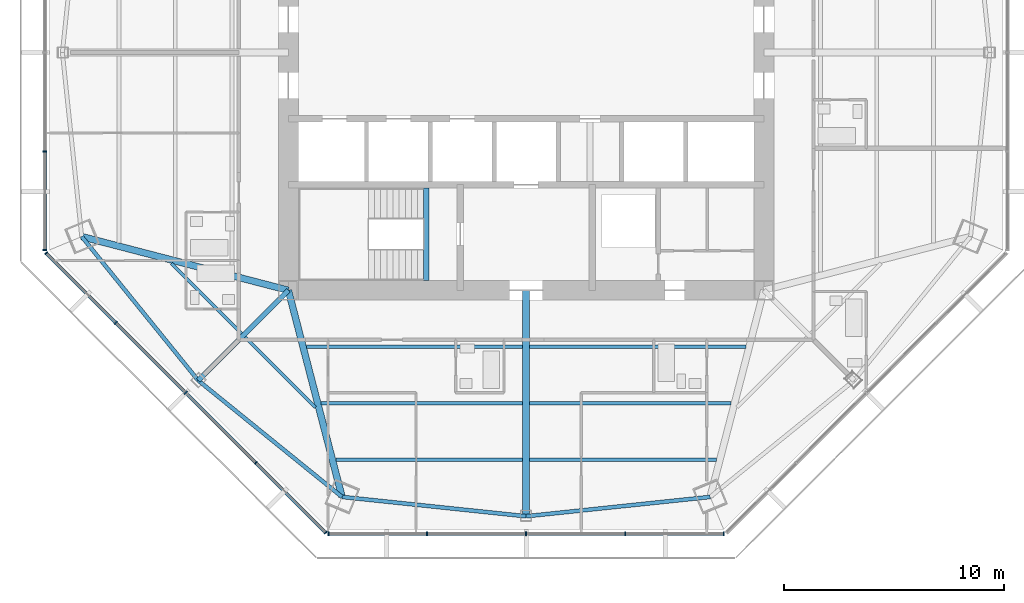
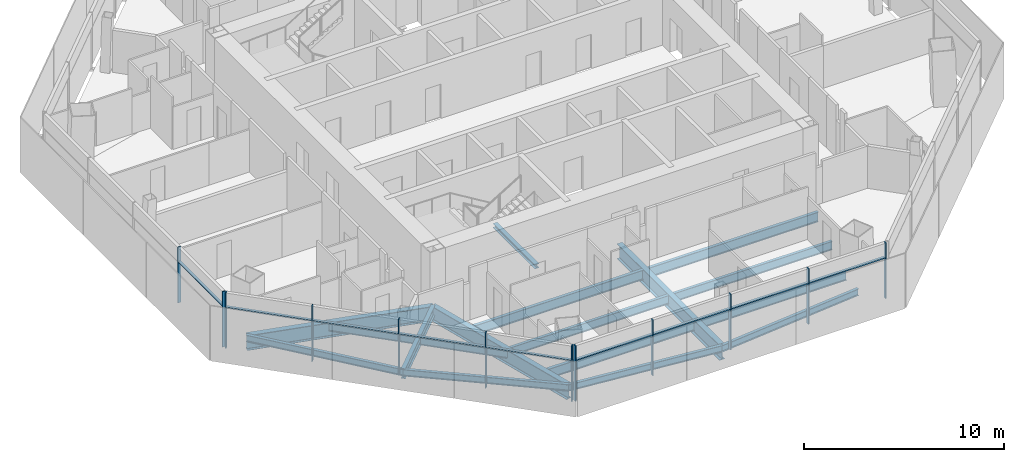
# One storey, part 2 of 16: 21 members, 17 beams, 3 elements without a shape of their own.
"""IFC4 building model written with IfcOpenShell, lengths in metres."""

from ifc_helpers import new_model, si_unit, direction, frame, origin, origin_2d, place, context, subcontext, project, spatial, rectangle, i_section, extrude, source, transform, mapped, material, material_profile, profile_set, type_object, type_shapes, element, aggregate, save


model = new_model("IFC4")

# Units and contexts
model_context = context("Model", 3, precision=1e-05, world=origin(), true_north=direction((0.0, 1.0)))
body_context = subcontext(model_context, "Body", "Model", "MODEL_VIEW")
ifc_project = project(units=[si_unit("LENGTHUNIT", "METRE"), si_unit("AREAUNIT", "SQUARE_METRE"), si_unit("VOLUMEUNIT", "CUBIC_METRE"), si_unit("PLANEANGLEUNIT", "RADIAN"), si_unit("MASSUNIT", "GRAM", prefix="KILO")], contexts=[model_context])

# Site, building, storey
site_placement = place(None, origin())
site = spatial("IfcSite", under=ifc_project, at=site_placement, CompositionType="ELEMENT")
building_placement = place(site_placement, origin())
building = spatial("IfcBuilding", under=site, at=building_placement, Name="Mashrafa Tower", CompositionType="ELEMENT")
storey_placement = place(building_placement, frame((0.0, 0.0, 217.60009765625)))
storey = spatial("IfcBuildingStorey", under=building, at=storey_placement, Name="L50", CompositionType="ELEMENT", Elevation=217.60009765625)

# Beams
ifc_material_1 = material(Name="Steel ASTM A992", Category="steel")
ifc_material_profile_1 = material_profile(ifc_material_1, i_section(OverallWidth=0.177734375, OverallDepth=0.406494140625, WebThickness=0.0078125, FlangeThickness=0.012939453125, FilletRadius=0.01025390625, at=origin_2d()), Name="W16X40")
ifc_profile_set_1 = profile_set([ifc_material_profile_1], Name="Steel ASTM A992")
beam_type_1 = type_object("IfcBeamType", Name="Beam W16X40", PredefinedType="BEAM", material=ifc_profile_set_1)
for number, where, z_axis, x_axis, name in (
    (1, (-20.1865234375, -8.361572265625, -0.4033203125), (0.62937948312, -0.777098105922, 0.0), (0.777098105922, 0.62937948312, 0.0), "Spandrel beam L50 050"),
    (2, (-14.89501953125, -14.89501953125, -0.4033203125), (0.777098105922, -0.62937948312, 0.0), (0.62937948312, 0.777098105922, 0.0), "Spandrel beam L50 052"),
    (3, (-8.361572265625, -20.1865234375, -0.4033203125), (0.994530087923, -0.104450486912, 0.0), (0.104450486912, 0.994530087923, 0.0), "Spandrel beam L50 054"),
    (4, (0.0, -21.064697265625, -0.4033203125), (0.994530087923, 0.104450486912, 0.0), (-0.104450486912, 0.994530087923, 0.0), "Spandrel beam L50 056"),
):
    element("IfcBeam", number, at=place(storey_placement, frame(where, z_axis=z_axis, x_axis=x_axis)), inside=storey, type_object=beam_type_1, Name=name, PredefinedType="BEAM", context=body_context, shape_type="SweptSolid", body=[
        extrude(i_section(OverallWidth=0.177734375, OverallDepth=0.406494140625, WebThickness=0.0078125, FlangeThickness=0.012939453125, FilletRadius=0.01025390625, at=origin_2d()), origin(), (0.0, 0.0, 1.0), 8.407470703125),
    ])
ifc_material_2 = material(Name="Steel ASTM A992", Category="steel")
ifc_material_profile_2 = material_profile(ifc_material_2, i_section(OverallWidth=0.15234375, OverallDepth=0.449462890625, WebThickness=0.007568359375, FlangeThickness=0.0107421875, FilletRadius=0.01025390625, at=origin_2d()), Name="W18X35")
ifc_profile_set_2 = profile_set([ifc_material_profile_2], Name="Steel ASTM A992")
beam_type_2 = type_object("IfcBeamType", Name="Beam W18X35", PredefinedType="BEAM", material=ifc_profile_set_2)
for number, where, z_axis, x_axis, name in (
    (5, (-12.928466796875, -12.7666015625, -0.4248046875), (-0.707106781187, 0.707106781187, 0.0), (-0.707106781187, -0.707106781187, 0.0), "Floor beam L50 008"),
    (6, (-9.57568359375, -16.119384765625, -0.4248046875), (-0.707106781187, 0.707106781187, 0.0), (-0.707106781187, -0.707106781187, 0.0), "Floor beam L50 012"),
):
    element("IfcBeam", number, at=place(storey_placement, frame(where, z_axis=z_axis, x_axis=x_axis)), inside=storey, type_object=beam_type_2, Name=name, PredefinedType="BEAM", context=body_context, shape_type="SweptSolid", body=[
        extrude(i_section(OverallWidth=0.15234375, OverallDepth=0.449462890625, WebThickness=0.007568359375, FlangeThickness=0.0107421875, FilletRadius=0.01025390625, at=origin_2d()), origin(), (0.0, 0.0, 1.0), 4.5126953125),
    ])
ifc_material_3 = material(Name="Steel ASTM A992", Category="steel")
ifc_material_profile_3 = material_profile(ifc_material_3, i_section(OverallWidth=0.1650390625, OverallDepth=0.52587890625, WebThickness=0.0087890625, FlangeThickness=0.011474609375, FilletRadius=0.0126953125, at=origin_2d()), Name="W21X44")
ifc_profile_set_3 = profile_set([ifc_material_profile_3], Name="Steel ASTM A992")
beam_type_3 = type_object("IfcBeamType", Name="Beam W21X44", PredefinedType="BEAM", material=ifc_profile_set_3)
for number, where, z_axis, x_axis, name in (
    (7, (-0.15380859375, -15.932373046875, -0.462890625), (-1.0, 0.0, 0.0), (0.0, -1.0, 0.0), "Floor beam L50 015"),
    (8, (9.30908203125, -15.932373046875, -0.462890625), (-1.0, 0.0, 0.0), (0.0, -1.0, 0.0), "Floor beam L50 022"),
):
    element("IfcBeam", number, at=place(storey_placement, frame(where, z_axis=z_axis, x_axis=x_axis)), inside=storey, type_object=beam_type_3, Name=name, PredefinedType="BEAM", context=body_context, shape_type="SweptSolid", body=[
        extrude(i_section(OverallWidth=0.1650390625, OverallDepth=0.52587890625, WebThickness=0.0087890625, FlangeThickness=0.011474609375, FilletRadius=0.0126953125, at=origin_2d()), origin(), (0.0, 0.0, 1.0), 9.1552734375),
    ])
ifc_material_4 = material(Name="Steel ASTM A992", Category="steel")
ifc_material_profile_4 = material_profile(ifc_material_4, i_section(OverallWidth=0.177978515625, OverallDepth=0.599365234375, WebThickness=0.010009765625, FlangeThickness=0.012939453125, FilletRadius=0.012939453125, at=origin_2d()), Name="W24X55")
ifc_profile_set_4 = profile_set([ifc_material_profile_4], Name="Steel ASTM A992")
beam_type_4 = type_object("IfcBeamType", Name="Beam W24X55", PredefinedType="BEAM", material=ifc_profile_set_4)
beam_1_placement = place(storey_placement, frame((-0.15380859375, -18.49853515625, -0.499755859375), z_axis=(-1.0, 0.0, 0.0), x_axis=(0.0, -1.0, 0.0)))
element("IfcBeam", 9, at=beam_1_placement, inside=storey, type_object=beam_type_4, Name="Floor beam L50 014", PredefinedType="BEAM", context=body_context, shape_type="SweptSolid", body=[
    extrude(i_section(OverallWidth=0.177978515625, OverallDepth=0.599365234375, WebThickness=0.010009765625, FlangeThickness=0.012939453125, FilletRadius=0.012939453125, at=origin_2d()), origin(), (0.0, 0.0, 1.0), 8.48876953125),
])
beam_2_placement = place(storey_placement, frame((-0.15380859375, -13.3662109375, -0.499755859375), z_axis=(-1.0, 0.0, 0.0), x_axis=(0.0, -1.0, 0.0)))
element("IfcBeam", 10, at=beam_2_placement, inside=storey, type_object=beam_type_4, Name="Floor beam L50 016", PredefinedType="BEAM", context=body_context, shape_type="SweptSolid", body=[
    extrude(i_section(OverallWidth=0.177978515625, OverallDepth=0.599365234375, WebThickness=0.010009765625, FlangeThickness=0.012939453125, FilletRadius=0.012939453125, at=origin_2d()), origin(), (0.0, 0.0, 1.0), 9.822021484375),
])
beam_3_placement = place(storey_placement, frame((8.642578125, -18.49853515625, -0.499755859375), z_axis=(-1.0, 0.0, 0.0), x_axis=(0.0, -1.0, 0.0)))
element("IfcBeam", 11, at=beam_3_placement, inside=storey, type_object=beam_type_4, Name="Floor beam L50 020", PredefinedType="BEAM", context=body_context, shape_type="SweptSolid", body=[
    extrude(i_section(OverallWidth=0.177978515625, OverallDepth=0.599365234375, WebThickness=0.010009765625, FlangeThickness=0.012939453125, FilletRadius=0.012939453125, at=origin_2d()), origin(), (0.0, 0.0, 1.0), 8.48876953125),
])
beam_4_placement = place(storey_placement, frame((9.975830078125, -13.3662109375, -0.499755859375), z_axis=(-1.0, 0.0, 0.0), x_axis=(0.0, -1.0, 0.0)))
element("IfcBeam", 12, at=beam_4_placement, inside=storey, type_object=beam_type_4, Name="Floor beam L50 023", PredefinedType="BEAM", context=body_context, shape_type="SweptSolid", body=[
    extrude(i_section(OverallWidth=0.177978515625, OverallDepth=0.599365234375, WebThickness=0.010009765625, FlangeThickness=0.012939453125, FilletRadius=0.012939453125, at=origin_2d()), origin(), (0.0, 0.0, 1.0), 9.822021484375),
])
ifc_material_5 = material(Name="Steel ASTM A992", Category="steel")
ifc_material_profile_5 = material_profile(ifc_material_5, i_section(OverallWidth=0.22900390625, OverallDepth=0.612060546875, WebThickness=0.011962890625, FlangeThickness=0.01953125, FilletRadius=0.0126953125, at=origin_2d()), Name="W24X84")
ifc_profile_set_5 = profile_set([ifc_material_profile_5], Name="Steel ASTM A992")
beam_type_5 = type_object("IfcBeamType", Name="Beam W24X84", PredefinedType="BEAM", material=ifc_profile_set_5)
beam_5_placement = place(storey_placement, frame((-10.800048828125, -10.800048828125, -0.506103515625), z_axis=(-0.707106781187, -0.707106781187, 0.0), x_axis=(0.707106781187, -0.707106781187, 0.0)))
element("IfcBeam", 13, at=beam_5_placement, inside=storey, type_object=beam_type_5, Name="Radial girder L50 034", PredefinedType="BEAM", context=body_context, shape_type="SweptSolid", body=[
    extrude(i_section(OverallWidth=0.22900390625, OverallDepth=0.612060546875, WebThickness=0.011962890625, FlangeThickness=0.01953125, FilletRadius=0.0126953125, at=origin_2d()), origin(), (0.0, 0.0, 1.0), 5.791259765625),
])
ifc_material_6 = material(Name="Steel ASTM A992", Category="steel")
ifc_material_profile_6 = material_profile(ifc_material_6, i_section(OverallWidth=0.3046875, OverallDepth=0.911865234375, WebThickness=0.015869140625, FlangeThickness=0.02392578125, FilletRadius=0.01904296875, at=origin_2d()), Name="W36X150")
ifc_profile_set_6 = profile_set([ifc_material_profile_6], Name="Steel ASTM A992")
beam_type_6 = type_object("IfcBeamType", Name="Beam W36X150", PredefinedType="BEAM", material=ifc_profile_set_6)
for number, where, z_axis, x_axis, name in (
    (14, (-10.800048828125, -10.800048828125, -0.656005859375), (-0.967872882961, 0.251440017557, 0.0), (-0.251440017557, -0.967872882961, 0.0), "Radial girder L50 033"),
    (15, (-10.800048828125, -10.800048828125, -0.656005859375), (0.251440017557, -0.967872882961, 0.0), (0.967872882961, 0.251440017557, 0.0), "Radial girder L50 035"),
):
    element("IfcBeam", number, at=place(storey_placement, frame(where, z_axis=z_axis, x_axis=x_axis)), inside=storey, type_object=beam_type_6, Name=name, PredefinedType="BEAM", context=body_context, shape_type="SweptSolid", body=[
        extrude(i_section(OverallWidth=0.3046875, OverallDepth=0.911865234375, WebThickness=0.015869140625, FlangeThickness=0.02392578125, FilletRadius=0.01904296875, at=origin_2d()), origin(), (0.0, 0.0, 1.0), 9.697998046875),
    ])
ifc_material_7 = material(Name="Steel ASTM A992", Category="steel")
ifc_material_profile_7 = material_profile(ifc_material_7, i_section(OverallWidth=0.307373046875, OverallDepth=0.927001953125, WebThickness=0.01953125, FlangeThickness=0.031982421875, FilletRadius=0.01904296875, at=origin_2d()), Name="W36X194")
ifc_profile_set_7 = profile_set([ifc_material_profile_7], Name="Steel ASTM A992")
beam_type_7 = type_object("IfcBeamType", Name="Beam W36X194", PredefinedType="BEAM", material=ifc_profile_set_7)
beam_6_placement = place(storey_placement, frame((0.0, -10.800048828125, -0.66357421875), z_axis=(0.0, -1.0, 0.0), x_axis=(1.0, 0.0, 0.0)))
element("IfcBeam", 16, at=beam_6_placement, inside=storey, type_object=beam_type_7, Name="Radial girder L50 040", PredefinedType="BEAM", context=body_context, shape_type="SweptSolid", body=[
    extrude(i_section(OverallWidth=0.307373046875, OverallDepth=0.927001953125, WebThickness=0.01953125, FlangeThickness=0.031982421875, FilletRadius=0.01904296875, at=origin_2d()), origin(), (0.0, 0.0, 1.0), 10.2646484375),
])
ifc_material_8 = material(Name="Steel ASTM A992", Category="steel")
ifc_material_profile_8 = material_profile(ifc_material_8, i_section(OverallWidth=0.25390625, OverallDepth=0.25390625, WebThickness=0.008544921875, FlangeThickness=0.01416015625, FilletRadius=0.010009765625, at=origin_2d()), Name="W10X49")
ifc_profile_set_8 = profile_set([ifc_material_profile_8], Name="Steel ASTM A992")
beam_type_8 = type_object("IfcBeamType", Name="Hoistway beam W10X49", PredefinedType="BEAM", material=ifc_profile_set_8)
beam_7_placement = place(storey_placement, frame((-4.530029296875, -10.35009765625, -0.3271484375), z_axis=(0.0, 1.0, 0.0), x_axis=(-1.0, 0.0, 0.0)))
element("IfcBeam", 17, at=beam_7_placement, inside=storey, type_object=beam_type_8, Name="Stair S3 landing beam L50", PredefinedType="BEAM", context=body_context, shape_type="SweptSolid", body=[
    extrude(i_section(OverallWidth=0.25390625, OverallDepth=0.25390625, WebThickness=0.008544921875, FlangeThickness=0.01416015625, FilletRadius=0.010009765625, at=origin_2d()), origin(), (0.0, 0.0, 1.0), 4.2001953125),
])

# Curtain wall, members
ifc_material_9 = material(Name="Unitised aluminium curtain wall", Category="aluminium")
curtain_wall_type = type_object("IfcCurtainWallType", Name="Apartment curtain wall, zone 3 CW-C 180 deep", PredefinedType="NOTDEFINED", material=ifc_material_9)
curtain_wall_1_placement = place(storey_placement, origin())
curtain_wall_1 = element("IfcCurtainWall", 18, at=curtain_wall_1_placement, inside=storey, type_object=curtain_wall_type, Name="Apartment curtain wall, zone 3 L50 west", PredefinedType="NOTDEFINED")
ifc_material_10 = material(Name="Extruded aluminium mullion", Category="aluminium")
ifc_material_profile_9 = material_profile(ifc_material_10, rectangle(XDim=0.179931640625, YDim=0.06005859375, at=origin_2d()), Name="Mullion 60x180")
ifc_profile_set_9 = profile_set([ifc_material_profile_9], Name="Extruded aluminium mullion")
member_type_1 = type_object("IfcMemberType", Name="Mullion CW-C 60 x 180", PredefinedType="MULLION", material=ifc_profile_set_9)
shared_shape_1 = source(origin(), body_context, "Body", "SweptSolid", [
    extrude(rectangle(XDim=0.179931640625, YDim=0.06005859375, at=origin_2d()), origin(), (0.0, 0.0, 1.0), 3.39990234375),
])
type_shapes(member_type_1, [shared_shape_1])
member_1_placement = place(storey_placement, frame((-21.859130859375, -4.50341796875, 0.0), z_axis=(0.0, 0.0, 1.0), x_axis=(1.0, 0.0, 0.0)))
member_1 = element("IfcMember", 19, at=member_1_placement, type_object=member_type_1, Name="CW-C mullion 4", PredefinedType="MULLION", context=body_context, shape_type="MappedRepresentation", body=[
    mapped(shared_shape_1, transform((0.0, 0.0, 0.0))),
])
member_2_placement = place(storey_placement, frame((-21.859130859375, -8.97705078125, 0.0), z_axis=(0.0, 0.0, 1.0), x_axis=(1.0, 0.0, 0.0)))
member_2 = element("IfcMember", 20, at=member_2_placement, type_object=member_type_1, Name="CW-C mullion 5", PredefinedType="MULLION", context=body_context, shape_type="MappedRepresentation", body=[
    mapped(shared_shape_1, transform((0.0, 0.0, 0.0))),
])

curtain_wall_2_placement = place(storey_placement, origin())
curtain_wall_2 = element("IfcCurtainWall", 21, at=curtain_wall_2_placement, inside=storey, type_object=curtain_wall_type, Name="Apartment curtain wall, zone 3 L50 south-west", PredefinedType="NOTDEFINED")
member_3_placement = place(storey_placement, frame((-21.804443359375, -9.10888671875, 0.0), z_axis=(0.0, 0.0, 1.0), x_axis=(0.707106781187, 0.707106781187, 0.0)))
member_3 = element("IfcMember", 22, at=member_3_placement, type_object=member_type_1, Name="CW-C mullion 1", PredefinedType="MULLION", context=body_context, shape_type="MappedRepresentation", body=[
    mapped(shared_shape_1, transform((0.0, 0.0, 0.0))),
])
member_4_placement = place(storey_placement, frame((-18.64111328125, -12.272216796875, 0.0), z_axis=(0.0, 0.0, 1.0), x_axis=(0.707106781187, 0.707106781187, 0.0)))
member_4 = element("IfcMember", 23, at=member_4_placement, type_object=member_type_1, Name="CW-C mullion 2", PredefinedType="MULLION", context=body_context, shape_type="MappedRepresentation", body=[
    mapped(shared_shape_1, transform((0.0, 0.0, 0.0))),
])
member_5_placement = place(storey_placement, frame((-15.456787109375, -15.456787109375, 0.0), z_axis=(0.0, 0.0, 1.0), x_axis=(0.707106781187, 0.707106781187, 0.0)))
member_5 = element("IfcMember", 24, at=member_5_placement, type_object=member_type_1, Name="CW-C mullion 3", PredefinedType="MULLION", context=body_context, shape_type="MappedRepresentation", body=[
    mapped(shared_shape_1, transform((0.0, 0.0, 0.0))),
])
member_6_placement = place(storey_placement, frame((-12.272216796875, -18.64111328125, 0.0), z_axis=(0.0, 0.0, 1.0), x_axis=(0.707106781187, 0.707106781187, 0.0)))
member_6 = element("IfcMember", 25, at=member_6_placement, type_object=member_type_1, Name="CW-C mullion 4", PredefinedType="MULLION", context=body_context, shape_type="MappedRepresentation", body=[
    mapped(shared_shape_1, transform((0.0, 0.0, 0.0))),
])
member_7_placement = place(storey_placement, frame((-9.10888671875, -21.804443359375, 0.0), z_axis=(0.0, 0.0, 1.0), x_axis=(0.707106781187, 0.707106781187, 0.0)))
member_7 = element("IfcMember", 26, at=member_7_placement, type_object=member_type_1, Name="CW-C mullion 5", PredefinedType="MULLION", context=body_context, shape_type="MappedRepresentation", body=[
    mapped(shared_shape_1, transform((0.0, 0.0, 0.0))),
])

curtain_wall_3_placement = place(storey_placement, origin())
curtain_wall_3 = element("IfcCurtainWall", 27, at=curtain_wall_3_placement, inside=storey, type_object=curtain_wall_type, Name="Apartment curtain wall, zone 3 L50 south", PredefinedType="NOTDEFINED")
member_8_placement = place(storey_placement, frame((-8.97705078125, -21.859130859375, 0.0), z_axis=(0.0, 0.0, 1.0), x_axis=(0.0, 1.0, 0.0)))
member_8 = element("IfcMember", 28, at=member_8_placement, type_object=member_type_1, Name="CW-C mullion 1", PredefinedType="MULLION", context=body_context, shape_type="MappedRepresentation", body=[
    mapped(shared_shape_1, transform((0.0, 0.0, 0.0))),
])
member_9_placement = place(storey_placement, frame((-4.50341796875, -21.859130859375, 0.0), z_axis=(0.0, 0.0, 1.0), x_axis=(0.0, 1.0, 0.0)))
member_9 = element("IfcMember", 29, at=member_9_placement, type_object=member_type_1, Name="CW-C mullion 2", PredefinedType="MULLION", context=body_context, shape_type="MappedRepresentation", body=[
    mapped(shared_shape_1, transform((0.0, 0.0, 0.0))),
])
member_10_placement = place(storey_placement, frame((0.0, -21.859130859375, 0.0), z_axis=(0.0, 0.0, 1.0), x_axis=(0.0, 1.0, 0.0)))
member_10 = element("IfcMember", 30, at=member_10_placement, type_object=member_type_1, Name="CW-C mullion 3", PredefinedType="MULLION", context=body_context, shape_type="MappedRepresentation", body=[
    mapped(shared_shape_1, transform((0.0, 0.0, 0.0))),
])
member_11_placement = place(storey_placement, frame((4.50341796875, -21.859130859375, 0.0), z_axis=(0.0, 0.0, 1.0), x_axis=(0.0, 1.0, 0.0)))
member_11 = element("IfcMember", 31, at=member_11_placement, type_object=member_type_1, Name="CW-C mullion 4", PredefinedType="MULLION", context=body_context, shape_type="MappedRepresentation", body=[
    mapped(shared_shape_1, transform((0.0, 0.0, 0.0))),
])
member_12_placement = place(storey_placement, frame((8.97705078125, -21.859130859375, 0.0), z_axis=(0.0, 0.0, 1.0), x_axis=(0.0, 1.0, 0.0)))
member_12 = element("IfcMember", 32, at=member_12_placement, type_object=member_type_1, Name="CW-C mullion 5", PredefinedType="MULLION", context=body_context, shape_type="MappedRepresentation", body=[
    mapped(shared_shape_1, transform((0.0, 0.0, 0.0))),
])

# Member
ifc_material_11 = material(Name="Extruded aluminium transom", Category="aluminium")
ifc_material_profile_10 = material_profile(ifc_material_11, rectangle(XDim=0.14404296875, YDim=0.074951171875, at=origin_2d()), Name="Transom 75x144")
ifc_profile_set_10 = profile_set([ifc_material_profile_10], Name="Extruded aluminium transom")
member_type_2 = type_object("IfcMemberType", Name="Transom CW-C 75 x 144", PredefinedType="MULLION", material=ifc_profile_set_10)
shared_shape_2 = source(origin(), body_context, "Body", "SweptSolid", [
    extrude(rectangle(XDim=0.14404296875, YDim=0.074951171875, at=origin_2d()), origin(), (0.0, 0.0, 1.0), 4.41357421875),
])
member_13_placement = place(storey_placement, frame((-21.859130859375, -4.533447265625, 2.5), z_axis=(0.0, -1.0, 0.0), x_axis=(1.0, 0.0, 0.0)))
member_13 = element("IfcMember", 33, at=member_13_placement, type_object=member_type_2, Name="CW-C transom 4", PredefinedType="MULLION", context=body_context, shape_type="MappedRepresentation", body=[
    mapped(shared_shape_2, transform((0.0, 0.0, 0.0))),
])

aggregate(curtain_wall_1, [member_1, member_2, member_13])

member_14_placement = place(storey_placement, frame((-21.783203125, -9.130126953125, 2.5), z_axis=(0.707106781187, -0.707106781187, 0.0), x_axis=(0.707106781187, 0.707106781187, 0.0)))
member_14 = element("IfcMember", 34, at=member_14_placement, type_object=member_type_2, Name="CW-C transom 1", PredefinedType="MULLION", context=body_context, shape_type="MappedRepresentation", body=[
    mapped(shared_shape_2, transform((0.0, 0.0, 0.0))),
])

member_15_placement = place(storey_placement, frame((-12.2509765625, -18.662353515625, 2.5), z_axis=(0.707106781187, -0.707106781187, 0.0), x_axis=(0.707106781187, 0.707106781187, 0.0)))
member_15 = element("IfcMember", 35, at=member_15_placement, type_object=member_type_2, Name="CW-C transom 4", PredefinedType="MULLION", context=body_context, shape_type="MappedRepresentation", body=[
    mapped(shared_shape_2, transform((0.0, 0.0, 0.0))),
])

member_16_placement = place(storey_placement, frame((-8.947021484375, -21.859130859375, 2.5), z_axis=(1.0, 0.0, 0.0), x_axis=(0.0, 1.0, 0.0)))
member_16 = element("IfcMember", 36, at=member_16_placement, type_object=member_type_2, Name="CW-C transom 1", PredefinedType="MULLION", context=body_context, shape_type="MappedRepresentation", body=[
    mapped(shared_shape_2, transform((0.0, 0.0, 0.0))),
])

member_17_placement = place(storey_placement, frame((4.533447265625, -21.859130859375, 2.5), z_axis=(1.0, 0.0, 0.0), x_axis=(0.0, 1.0, 0.0)))
member_17 = element("IfcMember", 37, at=member_17_placement, type_object=member_type_2, Name="CW-C transom 4", PredefinedType="MULLION", context=body_context, shape_type="MappedRepresentation", body=[
    mapped(shared_shape_2, transform((0.0, 0.0, 0.0))),
])

shared_shape_3 = source(origin(), body_context, "Body", "SweptSolid", [
    extrude(rectangle(XDim=0.14404296875, YDim=0.074951171875, at=origin_2d()), origin(), (0.0, 0.0, 1.0), 4.443603515625),
])
type_shapes(member_type_2, [shared_shape_2, shared_shape_3])
member_18_placement = place(storey_placement, frame((-18.6201171875, -12.29345703125, 2.5), z_axis=(0.707106781187, -0.707106781187, 0.0), x_axis=(0.707106781187, 0.707106781187, 0.0)))
member_18 = element("IfcMember", 38, at=member_18_placement, type_object=member_type_2, Name="CW-C transom 2", PredefinedType="MULLION", context=body_context, shape_type="MappedRepresentation", body=[
    mapped(shared_shape_3, transform((0.0, 0.0, 0.0))),
])

member_19_placement = place(storey_placement, frame((-15.435546875, -15.47802734375, 2.5), z_axis=(0.707106781187, -0.707106781187, 0.0), x_axis=(0.707106781187, 0.707106781187, 0.0)))
member_19 = element("IfcMember", 39, at=member_19_placement, type_object=member_type_2, Name="CW-C transom 3", PredefinedType="MULLION", context=body_context, shape_type="MappedRepresentation", body=[
    mapped(shared_shape_3, transform((0.0, 0.0, 0.0))),
])

aggregate(curtain_wall_2, [member_3, member_4, member_5, member_6, member_7, member_14, member_18, member_19, member_15])

member_20_placement = place(storey_placement, frame((-4.4736328125, -21.859130859375, 2.5), z_axis=(1.0, 0.0, 0.0), x_axis=(0.0, 1.0, 0.0)))
member_20 = element("IfcMember", 40, at=member_20_placement, type_object=member_type_2, Name="CW-C transom 2", PredefinedType="MULLION", context=body_context, shape_type="MappedRepresentation", body=[
    mapped(shared_shape_3, transform((0.0, 0.0, 0.0))),
])

member_21_placement = place(storey_placement, frame((0.030029296875, -21.859130859375, 2.5), z_axis=(1.0, 0.0, 0.0), x_axis=(0.0, 1.0, 0.0)))
member_21 = element("IfcMember", 41, at=member_21_placement, type_object=member_type_2, Name="CW-C transom 3", PredefinedType="MULLION", context=body_context, shape_type="MappedRepresentation", body=[
    mapped(shared_shape_3, transform((0.0, 0.0, 0.0))),
])

aggregate(curtain_wall_3, [member_8, member_9, member_10, member_11, member_12, member_16, member_20, member_21, member_17])

save(model, "model.ifc")
